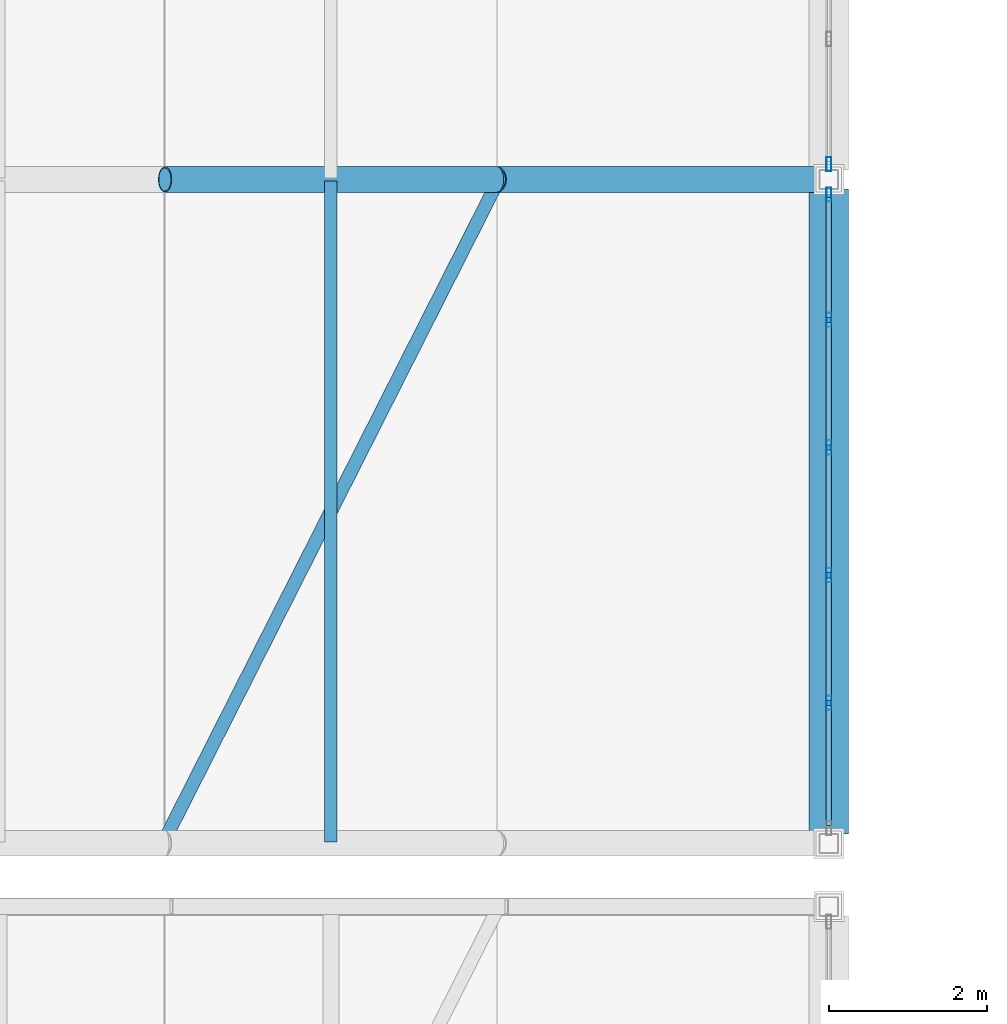
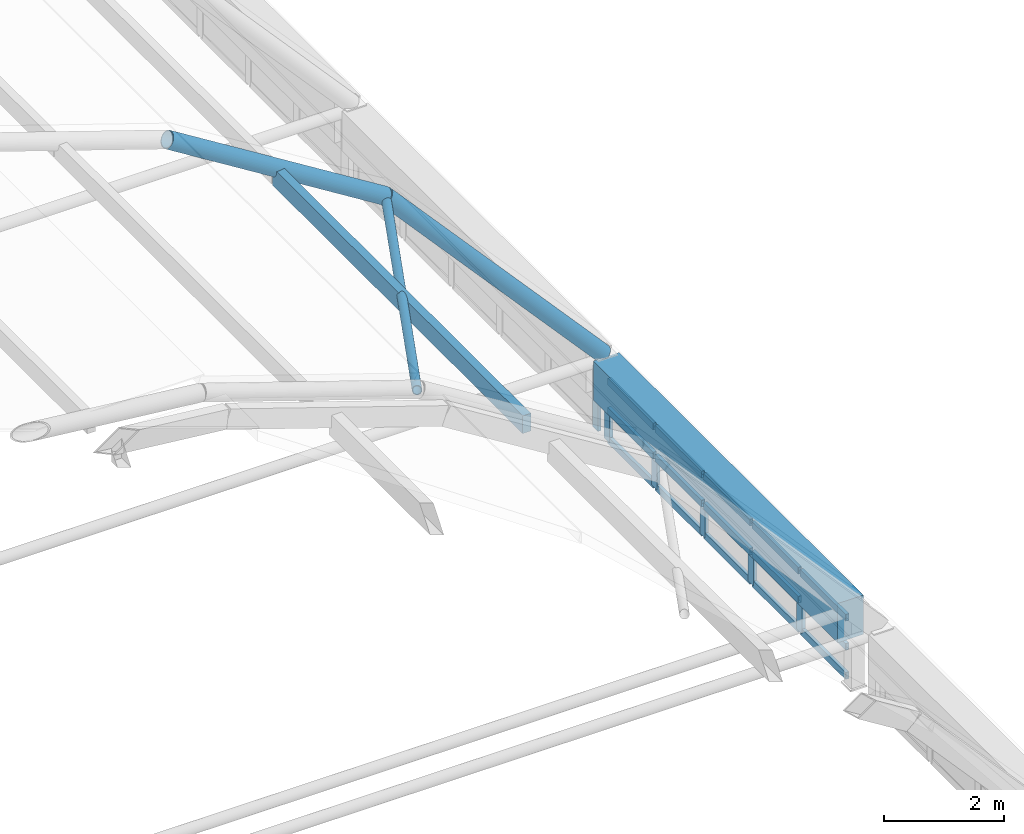
# One storey, part 37 of 114: 23 members, 3 beams, 2 elements without a shape of their own.
"""IFC4 building model written with IfcOpenShell, lengths in metres."""

from ifc_helpers import new_model, si_unit, direction, frame, origin, origin_2d, place, context, subcontext, project, spatial, rectangle, hollow_rectangle, hollow_circle, extrude, material, layer, layer_set, material_profile, profile_set, type_object, element, aggregate, save


model = new_model("IFC4")

# Units and contexts
model_context = context("Model", 3, precision=1e-05, world=origin(), true_north=direction((0.0, 1.0)))
body_context = subcontext(model_context, "Body", "Model", "MODEL_VIEW")
ifc_project = project(units=[si_unit("LENGTHUNIT", "METRE"), si_unit("AREAUNIT", "SQUARE_METRE"), si_unit("VOLUMEUNIT", "CUBIC_METRE"), si_unit("PLANEANGLEUNIT", "RADIAN"), si_unit("MASSUNIT", "GRAM", prefix="KILO")], contexts=[model_context])

# Site, building, storey
site_placement = place(None, origin())
site = spatial("IfcSite", under=ifc_project, at=site_placement, CompositionType="ELEMENT")
building_placement = place(site_placement, origin())
building = spatial("IfcBuilding", under=site, at=building_placement, Name="Xazarin Passage Department Store", CompositionType="ELEMENT")
storey_placement = place(building_placement, frame((0.0, 0.0, 14.39990234375)))
storey = spatial("IfcBuildingStorey", under=building, at=storey_placement, Name="L03", CompositionType="ELEMENT", Elevation=14.39990234375)

# Curtain wall, members
ifc_material_1 = material(Name="Bronze anodised aluminium", Category="aluminium")
ifc_layer = layer(ifc_material_1, 0.159912109375)
ifc_layer_set = layer_set([ifc_layer], Name="Bronze anodised aluminium")
curtain_wall_type = type_object("IfcCurtainWallType", Name="ARC-CW-ARC1", PredefinedType="NOTDEFINED", material=ifc_layer_set)
curtain_wall_1_placement = place(storey_placement, origin())
curtain_wall_1 = element("IfcCurtainWall", 1, at=curtain_wall_1_placement, inside=storey, type_object=curtain_wall_type, Name="L03 V2N Galleria Clerestory Curtain Wall 1E", PredefinedType="NOTDEFINED")
ifc_material_profile_1 = material_profile(ifc_material_1, hollow_rectangle(XDim=0.06494140625, YDim=0.179931640625, WallThickness=0.00390625, at=origin_2d()), Name="ALU 65x180")
ifc_profile_set_1 = profile_set([ifc_material_profile_1], Name="Bronze anodised aluminium")
member_type_1 = type_object("IfcMemberType", Name="ARC-CWM-65x180", PredefinedType="MULLION", material=ifc_profile_set_1)
member_1_placement = place(storey_placement, frame((101.60009765625, 52.97607421875, 0.0), z_axis=(0.0, 0.0, 1.0), x_axis=(-1.0, 0.0, 0.0)))
member_1 = element("IfcMember", 2, at=member_1_placement, type_object=member_type_1, Name="CW3 mullion 2", PredefinedType="MULLION", context=body_context, shape_type="SweptSolid", body=[
    extrude(hollow_rectangle(XDim=0.06494140625, YDim=0.179931640625, WallThickness=0.00390625, at=origin_2d()), origin(), (0.0, 0.0, 1.0), 1.251708984375),
])
member_2_placement = place(storey_placement, frame((101.60009765625, 54.592041015625, 0.0), z_axis=(0.0, 0.0, 1.0), x_axis=(-1.0, 0.0, 0.0)))
member_2 = element("IfcMember", 3, at=member_2_placement, type_object=member_type_1, Name="CW3 mullion 3", PredefinedType="MULLION", context=body_context, shape_type="SweptSolid", body=[
    extrude(hollow_rectangle(XDim=0.06494140625, YDim=0.179931640625, WallThickness=0.00390625, at=origin_2d()), origin(), (0.0, 0.0, 1.0), 1.251708984375),
])
member_3_placement = place(storey_placement, frame((101.60009765625, 56.2080078125, 0.0), z_axis=(0.0, 0.0, 1.0), x_axis=(-1.0, 0.0, 0.0)))
member_3 = element("IfcMember", 4, at=member_3_placement, type_object=member_type_1, Name="CW3 mullion 4", PredefinedType="MULLION", context=body_context, shape_type="SweptSolid", body=[
    extrude(hollow_rectangle(XDim=0.06494140625, YDim=0.179931640625, WallThickness=0.00390625, at=origin_2d()), origin(), (0.0, 0.0, 1.0), 1.251708984375),
])
member_4_placement = place(storey_placement, frame((101.60009765625, 57.823974609375, 0.0), z_axis=(0.0, 0.0, 1.0), x_axis=(-1.0, 0.0, 0.0)))
member_4 = element("IfcMember", 5, at=member_4_placement, type_object=member_type_1, Name="CW3 mullion 5", PredefinedType="MULLION", context=body_context, shape_type="SweptSolid", body=[
    extrude(hollow_rectangle(XDim=0.06494140625, YDim=0.179931640625, WallThickness=0.00390625, at=origin_2d()), origin(), (0.0, 0.0, 1.0), 1.251708984375),
])
member_5_placement = place(storey_placement, frame((101.60009765625, 59.407470703125, 0.0), z_axis=(0.0, 0.0, 1.0), x_axis=(-1.0, 0.0, 0.0)))
member_5 = element("IfcMember", 6, at=member_5_placement, type_object=member_type_1, Name="CW3 mullion 6", PredefinedType="MULLION", context=body_context, shape_type="SweptSolid", body=[
    extrude(hollow_rectangle(XDim=0.06494140625, YDim=0.179931640625, WallThickness=0.00390625, at=origin_2d()), origin(), (0.0, 0.0, 1.0), 1.251708984375),
])

# Curtain wall, member
curtain_wall_2_placement = place(storey_placement, origin())
curtain_wall_2 = element("IfcCurtainWall", 7, at=curtain_wall_2_placement, inside=storey, type_object=curtain_wall_type, Name="L03 V2N Galleria Clerestory Curtain Wall 2E", PredefinedType="NOTDEFINED")
member_6_placement = place(storey_placement, frame((101.60009765625, 59.79248046875, 0.0), z_axis=(0.0, 0.0, 1.0), x_axis=(-1.0, 0.0, 0.0)))
member_6 = element("IfcMember", 8, at=member_6_placement, type_object=member_type_1, Name="CW3 mullion 1", PredefinedType="MULLION", context=body_context, shape_type="SweptSolid", body=[
    extrude(hollow_rectangle(XDim=0.06494140625, YDim=0.179931640625, WallThickness=0.00390625, at=origin_2d()), origin(), (0.0, 0.0, 1.0), 1.251708984375),
])
aggregate(curtain_wall_2, [member_6])

# Member
ifc_material_profile_2 = material_profile(ifc_material_1, hollow_rectangle(XDim=0.06494140625, YDim=0.139892578125, WallThickness=0.00390625, at=origin_2d()), Name="ALU 65x140")
ifc_profile_set_2 = profile_set([ifc_material_profile_2], Name="Bronze anodised aluminium")
member_type_2 = type_object("IfcMemberType", Name="ARC-CWT-65x140", PredefinedType="USERDEFINED", material=ifc_profile_set_2)
member_7_placement = place(storey_placement, frame((101.60009765625, 51.425048828125, 0.03271484375), z_axis=(0.0, 1.0, 0.0), x_axis=(-1.0, 0.0, 0.0)))
member_7 = element("IfcMember", 9, at=member_7_placement, type_object=member_type_2, Name="CW3 transom 1.1", ObjectType="TRANSOM", PredefinedType="USERDEFINED", context=body_context, shape_type="SweptSolid", body=[
    extrude(hollow_rectangle(XDim=0.06494140625, YDim=0.139892578125, WallThickness=0.00390625, at=origin_2d()), origin(), (0.0, 0.0, 1.0), 1.5185546875),
])

member_8_placement = place(storey_placement, frame((101.60009765625, 51.425048828125, 0.6259765625), z_axis=(0.0, 1.0, 0.0), x_axis=(-1.0, 0.0, 0.0)))
member_8 = element("IfcMember", 10, at=member_8_placement, type_object=member_type_2, Name="CW3 transom 1.2", ObjectType="TRANSOM", PredefinedType="USERDEFINED", context=body_context, shape_type="SweptSolid", body=[
    extrude(hollow_rectangle(XDim=0.06494140625, YDim=0.139892578125, WallThickness=0.00390625, at=origin_2d()), origin(), (0.0, 0.0, 1.0), 1.5185546875),
])

member_9_placement = place(storey_placement, frame((101.60009765625, 51.425048828125, 1.21923828125), z_axis=(0.0, 1.0, 0.0), x_axis=(-1.0, 0.0, 0.0)))
member_9 = element("IfcMember", 11, at=member_9_placement, type_object=member_type_2, Name="CW3 transom 1.3", ObjectType="TRANSOM", PredefinedType="USERDEFINED", context=body_context, shape_type="SweptSolid", body=[
    extrude(hollow_rectangle(XDim=0.06494140625, YDim=0.139892578125, WallThickness=0.00390625, at=origin_2d()), origin(), (0.0, 0.0, 1.0), 1.5185546875),
])

member_10_placement = place(storey_placement, frame((101.60009765625, 53.008544921875, 0.03271484375), z_axis=(0.0, 1.0, 0.0), x_axis=(-1.0, 0.0, 0.0)))
member_10 = element("IfcMember", 12, at=member_10_placement, type_object=member_type_2, Name="CW3 transom 2.1", ObjectType="TRANSOM", PredefinedType="USERDEFINED", context=body_context, shape_type="SweptSolid", body=[
    extrude(hollow_rectangle(XDim=0.06494140625, YDim=0.139892578125, WallThickness=0.00390625, at=origin_2d()), origin(), (0.0, 0.0, 1.0), 1.551025390625),
])

member_11_placement = place(storey_placement, frame((101.60009765625, 53.008544921875, 0.6259765625), z_axis=(0.0, 1.0, 0.0), x_axis=(-1.0, 0.0, 0.0)))
member_11 = element("IfcMember", 13, at=member_11_placement, type_object=member_type_2, Name="CW3 transom 2.2", ObjectType="TRANSOM", PredefinedType="USERDEFINED", context=body_context, shape_type="SweptSolid", body=[
    extrude(hollow_rectangle(XDim=0.06494140625, YDim=0.139892578125, WallThickness=0.00390625, at=origin_2d()), origin(), (0.0, 0.0, 1.0), 1.551025390625),
])

member_12_placement = place(storey_placement, frame((101.60009765625, 53.008544921875, 1.21923828125), z_axis=(0.0, 1.0, 0.0), x_axis=(-1.0, 0.0, 0.0)))
member_12 = element("IfcMember", 14, at=member_12_placement, type_object=member_type_2, Name="CW3 transom 2.3", ObjectType="TRANSOM", PredefinedType="USERDEFINED", context=body_context, shape_type="SweptSolid", body=[
    extrude(hollow_rectangle(XDim=0.06494140625, YDim=0.139892578125, WallThickness=0.00390625, at=origin_2d()), origin(), (0.0, 0.0, 1.0), 1.551025390625),
])

member_13_placement = place(storey_placement, frame((101.60009765625, 54.62451171875, 0.03271484375), z_axis=(0.0, 1.0, 0.0), x_axis=(-1.0, 0.0, 0.0)))
member_13 = element("IfcMember", 15, at=member_13_placement, type_object=member_type_2, Name="CW3 transom 3.1", ObjectType="TRANSOM", PredefinedType="USERDEFINED", context=body_context, shape_type="SweptSolid", body=[
    extrude(hollow_rectangle(XDim=0.06494140625, YDim=0.139892578125, WallThickness=0.00390625, at=origin_2d()), origin(), (0.0, 0.0, 1.0), 1.551025390625),
])

member_14_placement = place(storey_placement, frame((101.60009765625, 54.62451171875, 0.6259765625), z_axis=(0.0, 1.0, 0.0), x_axis=(-1.0, 0.0, 0.0)))
member_14 = element("IfcMember", 16, at=member_14_placement, type_object=member_type_2, Name="CW3 transom 3.2", ObjectType="TRANSOM", PredefinedType="USERDEFINED", context=body_context, shape_type="SweptSolid", body=[
    extrude(hollow_rectangle(XDim=0.06494140625, YDim=0.139892578125, WallThickness=0.00390625, at=origin_2d()), origin(), (0.0, 0.0, 1.0), 1.551025390625),
])

member_15_placement = place(storey_placement, frame((101.60009765625, 54.62451171875, 1.21923828125), z_axis=(0.0, 1.0, 0.0), x_axis=(-1.0, 0.0, 0.0)))
member_15 = element("IfcMember", 17, at=member_15_placement, type_object=member_type_2, Name="CW3 transom 3.3", ObjectType="TRANSOM", PredefinedType="USERDEFINED", context=body_context, shape_type="SweptSolid", body=[
    extrude(hollow_rectangle(XDim=0.06494140625, YDim=0.139892578125, WallThickness=0.00390625, at=origin_2d()), origin(), (0.0, 0.0, 1.0), 1.551025390625),
])

member_16_placement = place(storey_placement, frame((101.60009765625, 56.240478515625, 0.03271484375), z_axis=(0.0, 1.0, 0.0), x_axis=(-1.0, 0.0, 0.0)))
member_16 = element("IfcMember", 18, at=member_16_placement, type_object=member_type_2, Name="CW3 transom 4.1", ObjectType="TRANSOM", PredefinedType="USERDEFINED", context=body_context, shape_type="SweptSolid", body=[
    extrude(hollow_rectangle(XDim=0.06494140625, YDim=0.139892578125, WallThickness=0.00390625, at=origin_2d()), origin(), (0.0, 0.0, 1.0), 1.551025390625),
])

member_17_placement = place(storey_placement, frame((101.60009765625, 56.240478515625, 0.6259765625), z_axis=(0.0, 1.0, 0.0), x_axis=(-1.0, 0.0, 0.0)))
member_17 = element("IfcMember", 19, at=member_17_placement, type_object=member_type_2, Name="CW3 transom 4.2", ObjectType="TRANSOM", PredefinedType="USERDEFINED", context=body_context, shape_type="SweptSolid", body=[
    extrude(hollow_rectangle(XDim=0.06494140625, YDim=0.139892578125, WallThickness=0.00390625, at=origin_2d()), origin(), (0.0, 0.0, 1.0), 1.551025390625),
])

member_18_placement = place(storey_placement, frame((101.60009765625, 56.240478515625, 1.21923828125), z_axis=(0.0, 1.0, 0.0), x_axis=(-1.0, 0.0, 0.0)))
member_18 = element("IfcMember", 20, at=member_18_placement, type_object=member_type_2, Name="CW3 transom 4.3", ObjectType="TRANSOM", PredefinedType="USERDEFINED", context=body_context, shape_type="SweptSolid", body=[
    extrude(hollow_rectangle(XDim=0.06494140625, YDim=0.139892578125, WallThickness=0.00390625, at=origin_2d()), origin(), (0.0, 0.0, 1.0), 1.551025390625),
])

member_19_placement = place(storey_placement, frame((101.60009765625, 57.8564453125, 0.03271484375), z_axis=(0.0, 1.0, 0.0), x_axis=(-1.0, 0.0, 0.0)))
member_19 = element("IfcMember", 21, at=member_19_placement, type_object=member_type_2, Name="CW3 transom 5.1", ObjectType="TRANSOM", PredefinedType="USERDEFINED", context=body_context, shape_type="SweptSolid", body=[
    extrude(hollow_rectangle(XDim=0.06494140625, YDim=0.139892578125, WallThickness=0.00390625, at=origin_2d()), origin(), (0.0, 0.0, 1.0), 1.5185546875),
])

member_20_placement = place(storey_placement, frame((101.60009765625, 57.8564453125, 0.6259765625), z_axis=(0.0, 1.0, 0.0), x_axis=(-1.0, 0.0, 0.0)))
member_20 = element("IfcMember", 22, at=member_20_placement, type_object=member_type_2, Name="CW3 transom 5.2", ObjectType="TRANSOM", PredefinedType="USERDEFINED", context=body_context, shape_type="SweptSolid", body=[
    extrude(hollow_rectangle(XDim=0.06494140625, YDim=0.139892578125, WallThickness=0.00390625, at=origin_2d()), origin(), (0.0, 0.0, 1.0), 1.5185546875),
])

member_21_placement = place(storey_placement, frame((101.60009765625, 57.8564453125, 1.21923828125), z_axis=(0.0, 1.0, 0.0), x_axis=(-1.0, 0.0, 0.0)))
member_21 = element("IfcMember", 23, at=member_21_placement, type_object=member_type_2, Name="CW3 transom 5.3", ObjectType="TRANSOM", PredefinedType="USERDEFINED", context=body_context, shape_type="SweptSolid", body=[
    extrude(hollow_rectangle(XDim=0.06494140625, YDim=0.139892578125, WallThickness=0.00390625, at=origin_2d()), origin(), (0.0, 0.0, 1.0), 1.5185546875),
])

aggregate(curtain_wall_1, [member_1, member_2, member_3, member_4, member_5, member_7, member_8, member_9, member_10, member_11, member_12, member_13, member_14, member_15, member_16, member_17, member_18, member_19, member_20, member_21])

# Beams
ifc_material_2 = material(Name="Steel S355", Category="steel")
ifc_material_profile_3 = material_profile(ifc_material_2, hollow_circle(Radius=0.161865234375, WallThickness=0.01611328125, at=origin_2d()), Name="CHS 323.9x16")
ifc_profile_set_3 = profile_set([ifc_material_profile_3], Name="Steel S355")
beam_type_1 = type_object("IfcBeamType", Name="STR-BM-AR324", PredefinedType="BEAM", material=ifc_profile_set_3)
beam_1_placement = place(storey_placement, frame((93.199951171875, 59.60009765625, 8.95068359375), z_axis=(0.848571440894, 0.0, -0.529080815848), x_axis=(0.0, 1.0, 0.0)))
element("IfcBeam", 24, at=beam_1_placement, inside=storey, type_object=beam_type_1, Name="V2N Primary Arch Rib 2.7", PredefinedType="BEAM", context=body_context, shape_type="SweptSolid", body=[
    extrude(hollow_circle(Radius=0.161865234375, WallThickness=0.01611328125, at=origin_2d()), origin(), (0.0, 0.0, 1.0), 4.949462890625),
])
beam_2_placement = place(storey_placement, frame((97.39990234375, 59.60009765625, 6.33203125), z_axis=(0.667913050078, 0.0, -0.744239314694), x_axis=(0.0, 1.0, 0.0)))
element("IfcBeam", 25, at=beam_2_placement, inside=storey, type_object=beam_type_1, Name="V2N Primary Arch Rib 2.8", PredefinedType="BEAM", context=body_context, shape_type="SweptSolid", body=[
    extrude(hollow_circle(Radius=0.161865234375, WallThickness=0.01611328125, at=origin_2d()), origin(), (0.0, 0.0, 1.0), 6.28857421875),
])
ifc_material_3 = material(Name="Concrete C40/50", Category="concrete")
ifc_material_profile_4 = material_profile(ifc_material_3, rectangle(XDim=0.5, YDim=0.800048828125, at=origin_2d()), Name="RC 500x800")
ifc_profile_set_4 = profile_set([ifc_material_profile_4], Name="Concrete C40/50")
beam_type_2 = type_object("IfcBeamType", Name="STR-BM-RG500x800", PredefinedType="BEAM", material=ifc_profile_set_4)
beam_3_placement = place(storey_placement, frame((101.60009765625, 51.320068359375, 1.251708984375), z_axis=(0.0, 1.0, 0.0), x_axis=(-1.0, 0.0, 0.0)))
element("IfcBeam", 26, at=beam_3_placement, inside=storey, type_object=beam_type_2, Name="V2N Springing Ring Girder E-1", PredefinedType="BEAM", context=body_context, shape_type="SweptSolid", body=[
    extrude(rectangle(XDim=0.5, YDim=0.800048828125, at=origin_2d()), origin(), (0.0, 0.0, 1.0), 8.159912109375),
])

# Members
ifc_material_profile_5 = material_profile(ifc_material_2, hollow_circle(Radius=0.084228515625, WallThickness=0.010009765625, at=origin_2d()), Name="CHS 168.3x10")
ifc_profile_set_5 = profile_set([ifc_material_profile_5], Name="Steel S355")
member_type_3 = type_object("IfcMemberType", Name="STR-MEM-BR168", PredefinedType="BRACE", material=ifc_profile_set_5)
member_22_placement = place(storey_placement, frame((93.199951171875, 51.25, 8.900634765625), z_axis=(0.434609592328, 0.858886375073, -0.270977299733), x_axis=(-0.892269998561, 0.451502214467, 0.0)))
element("IfcMember", 27, at=member_22_placement, inside=storey, type_object=member_type_3, Name="V2N Gridshell Diagonal Brace 1.6", PredefinedType="BRACE", context=body_context, shape_type="SweptSolid", body=[
    extrude(hollow_circle(Radius=0.084228515625, WallThickness=0.010009765625, at=origin_2d()), origin(), (0.0, 0.0, 1.0), 9.663818359375),
])
ifc_material_4 = material(Name="Glulam GL28h", Category="wood")
ifc_material_profile_6 = material_profile(ifc_material_4, rectangle(XDim=0.159912109375, YDim=0.360107421875, at=origin_2d()), Name="GL28h 160x360")
ifc_profile_set_6 = profile_set([ifc_material_profile_6], Name="Glulam GL28h")
member_type_4 = type_object("IfcMemberType", Name="STR-MEM-GL360", PredefinedType="PURLIN", material=ifc_profile_set_6)
member_23_placement = place(storey_placement, frame((95.300048828125, 51.219970703125, 7.50341796875), z_axis=(0.0, 1.0, 0.0), x_axis=(-1.0, 0.0, 0.0)))
element("IfcMember", 28, at=member_23_placement, inside=storey, type_object=member_type_4, Name="V2N Glulam Gridshell Purlin 1.7", PredefinedType="PURLIN", context=body_context, shape_type="SweptSolid", body=[
    extrude(rectangle(XDim=0.159912109375, YDim=0.360107421875, at=origin_2d()), origin(), (0.0, 0.0, 1.0), 8.360107421875),
])

save(model, "model.ifc")
